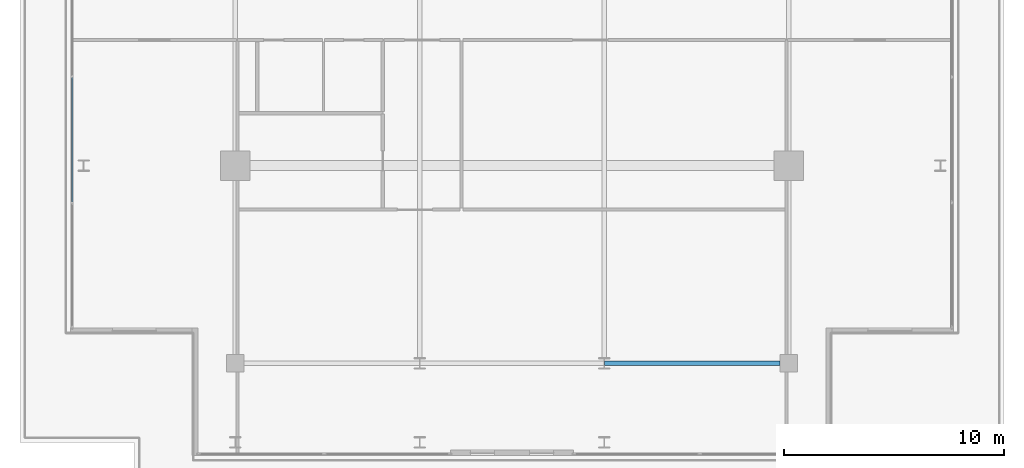
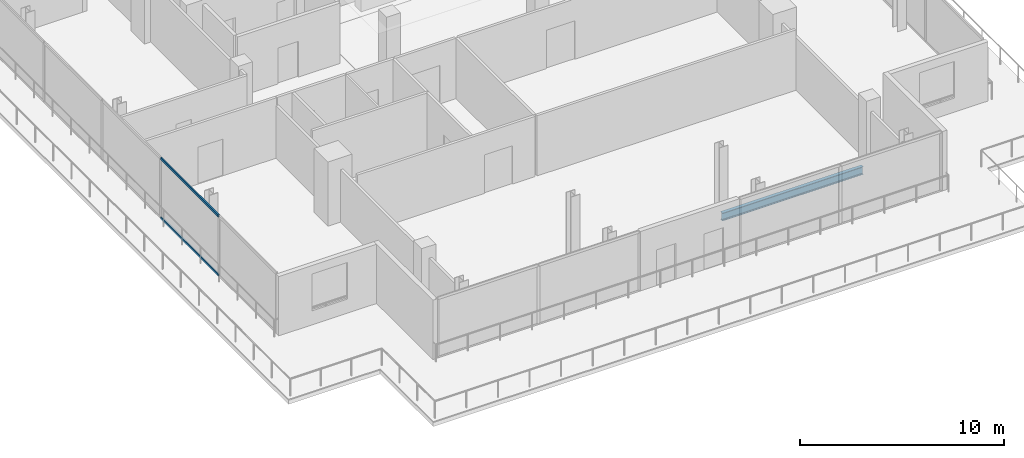
# One storey, part 6 of 21: 2 members, 1 beam, 1 element without a shape of its own.
"""IFC4 building model written with IfcOpenShell, lengths in metres."""

from ifc_helpers import new_model, si_unit, direction, frame, origin, origin_2d, place, context, subcontext, project, spatial, hollow_rectangle, i_section, extrude, material, layer, layer_set, material_profile, profile_set, type_object, element, aggregate, save


model = new_model("IFC4")

# Units and contexts
model_context = context("Model", 3, precision=1e-05, world=origin(), true_north=direction((0.0, 1.0)))
body_context = subcontext(model_context, "Body", "Model", "MODEL_VIEW")
ifc_project = project(units=[si_unit("LENGTHUNIT", "METRE"), si_unit("AREAUNIT", "SQUARE_METRE"), si_unit("VOLUMEUNIT", "CUBIC_METRE"), si_unit("PLANEANGLEUNIT", "RADIAN"), si_unit("MASSUNIT", "GRAM", prefix="KILO")], contexts=[model_context])

# Site, building, storey
site_placement = place(None, origin())
site = spatial("IfcSite", under=ifc_project, at=site_placement, CompositionType="ELEMENT")
building_placement = place(site_placement, origin())
building = spatial("IfcBuilding", under=site, at=building_placement, Name="Maruvema Waterfront Hotel and Observation Tower", CompositionType="ELEMENT")
storey_placement = place(building_placement, frame((0.0, 0.0, 322.0)))
storey = spatial("IfcBuildingStorey", under=building, at=storey_placement, Name="L79", CompositionType="ELEMENT", Elevation=322.0)

# Curtain wall, members
ifc_material_1 = material(Name="Anodised bronze aluminium and solar-control low-E IGU", Category="aluminium")
ifc_layer = layer(ifc_material_1, 0.159912109375, Name="Zone 4 Sky Residence Inner Curtain Wall System CW-05")
ifc_layer_set = layer_set([ifc_layer], Name="Anodised bronze aluminium and solar-control low-E IGU")
curtain_wall_type = type_object("IfcCurtainWallType", Name="Zone 4 Sky Residence Inner Curtain Wall System CW-05", PredefinedType="USERDEFINED", material=ifc_layer_set)
curtain_wall_placement = place(storey_placement, origin())
curtain_wall = element("IfcCurtainWall", 1, at=curtain_wall_placement, inside=storey, type_object=curtain_wall_type, Name="L79 Curtain Wall CW-L79-W", ObjectType="UNITISED CURTAIN WALL", PredefinedType="USERDEFINED")
ifc_material_2 = material(Name="Anodised architectural bronze aluminium", Category="aluminium")
ifc_material_profile_1 = material_profile(ifc_material_2, hollow_rectangle(XDim=0.070068359375, YDim=0.14990234375, WallThickness=0.00390625, at=origin_2d()), Name="ALU-T70x150")
ifc_profile_set_1 = profile_set([ifc_material_profile_1], Name="Anodised architectural bronze aluminium")
member_type = type_object("IfcMemberType", Name="Curtain Wall Horizontal Transom ALU-T70x150", PredefinedType="USERDEFINED", material=ifc_profile_set_1)
member_1_placement = place(storey_placement, frame((17.780029296875, 31.010009765625, 0.030029296875), z_axis=(0.0, -1.0, 0.0), x_axis=(1.0, 0.0, 0.0)))
member_1 = element("IfcMember", 2, at=member_1_placement, type_object=member_type, Name="CW-05 transom 4.1", ObjectType="TRANSOM", PredefinedType="USERDEFINED", context=body_context, shape_type="SweptSolid", body=[
    extrude(hollow_rectangle(XDim=0.070068359375, YDim=0.14990234375, WallThickness=0.00390625, at=origin_2d()), origin(), (0.0, 0.0, 1.0), 5.659912109375),
])
member_2_placement = place(storey_placement, frame((17.780029296875, 31.010009765625, 3.580078125), z_axis=(0.0, -1.0, 0.0), x_axis=(1.0, 0.0, 0.0)))
member_2 = element("IfcMember", 3, at=member_2_placement, type_object=member_type, Name="CW-05 transom 4.2", ObjectType="TRANSOM", PredefinedType="USERDEFINED", context=body_context, shape_type="SweptSolid", body=[
    extrude(hollow_rectangle(XDim=0.070068359375, YDim=0.14990234375, WallThickness=0.00390625, at=origin_2d()), origin(), (0.0, 0.0, 1.0), 5.659912109375),
])
aggregate(curtain_wall, [member_1, member_2])

# Beam
ifc_material_3 = material(Name="Steel ASTM A572 Grade 50", Category="steel")
ifc_material_profile_2 = material_profile(ifc_material_3, i_section(OverallWidth=0.194091796875, OverallDepth=0.468994140625, WebThickness=0.0126953125, FlangeThickness=0.0205078125, FilletRadius=0.014892578125, at=origin_2d()), Name="W460x106.0")
ifc_profile_set_2 = profile_set([ifc_material_profile_2], Name="Steel ASTM A572 Grade 50")
beam_type = type_object("IfcBeamType", Name="Primary Floor Girder W460x106.0", PredefinedType="BEAM", material=ifc_profile_set_2)
beam_placement = place(storey_placement, frame((42.010986328125, 18.0, -0.474609375), z_axis=(1.0, 0.0, 0.0), x_axis=(0.0, 1.0, 0.0)))
element("IfcBeam", 4, at=beam_placement, inside=storey, type_object=beam_type, Name="L79 Floor Girder EW-03", PredefinedType="BEAM", context=body_context, shape_type="SweptSolid", body=[
    extrude(i_section(OverallWidth=0.194091796875, OverallDepth=0.468994140625, WebThickness=0.0126953125, FlangeThickness=0.0205078125, FilletRadius=0.014892578125, at=origin_2d()), origin(), (0.0, 0.0, 1.0), 7.989013671875),
])

save(model, "model.ifc")
